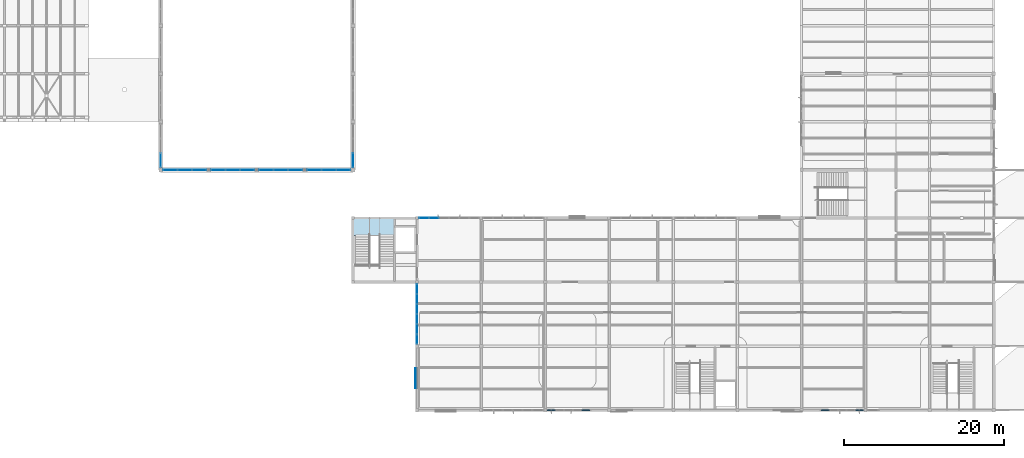
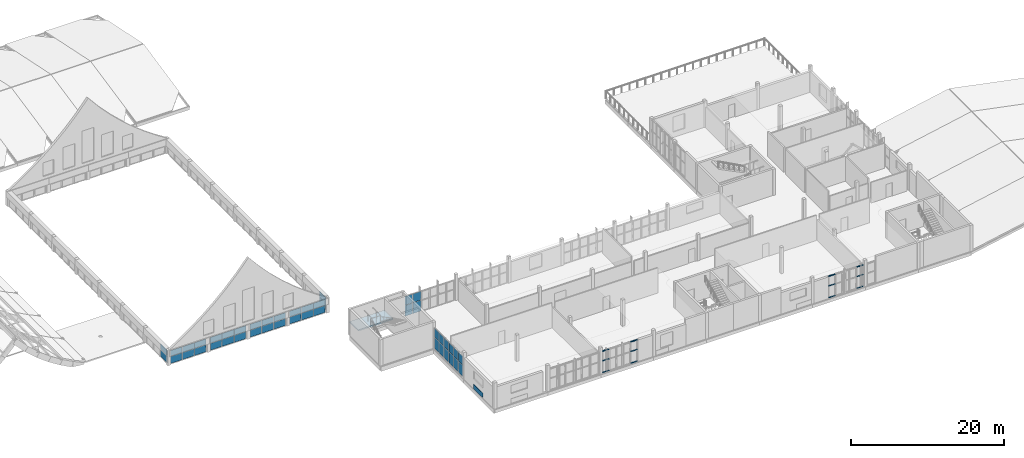
# One storey, part 24 of 45: 45 plates, 12 members, 1 slab, 11 elements without a shape of their own.
"""IFC4 building model written with IfcOpenShell, lengths in metres."""

from ifc_helpers import new_model, si_unit, direction, frame, origin, origin_2d, place, context, subcontext, project, spatial, polyline, rectangle, outline, extrude, material, layer, layer_set, material_profile, profile_set, type_object, element, aggregate, save


model = new_model("IFC4")

# Units and contexts
model_context = context("Model", 3, precision=1e-05, world=origin(), true_north=direction((0.0, 1.0)))
body_context = subcontext(model_context, "Body", "Model", "MODEL_VIEW")
ifc_project = project(units=[si_unit("LENGTHUNIT", "METRE"), si_unit("AREAUNIT", "SQUARE_METRE"), si_unit("VOLUMEUNIT", "CUBIC_METRE"), si_unit("PLANEANGLEUNIT", "RADIAN"), si_unit("MASSUNIT", "GRAM", prefix="KILO")], contexts=[model_context])

# Site, building, storey
site_placement = place(None, origin())
site = spatial("IfcSite", under=ifc_project, at=site_placement, CompositionType="ELEMENT")
building_placement = place(site_placement, origin())
building = spatial("IfcBuilding", under=site, at=building_placement, Name="Solvane Community Centre", CompositionType="ELEMENT")
storey_placement = place(building_placement, frame((0.0, 0.0, 13.800048828125)))
storey = spatial("IfcBuildingStorey", under=building, at=storey_placement, Name="L03", CompositionType="ELEMENT", Elevation=13.800048828125)

# Curtain wall, members
ifc_material_1 = material(Name="Anodised bronze aluminium AW-6063 T6", Category="aluminium")
ifc_layer_1 = layer(ifc_material_1, 0.199951171875)
ifc_layer_set_1 = layer_set([ifc_layer_1], Name="Anodised bronze aluminium AW-6063 T6")
curtain_wall_type_1 = type_object("IfcCurtainWallType", Name="Courtyard Cloister Curtain Wall [54x34dm]", PredefinedType="NOTDEFINED", material=ifc_layer_set_1)
curtain_wall_1_placement = place(storey_placement, origin())
curtain_wall_1 = element("IfcCurtainWall", 1, at=curtain_wall_1_placement, inside=storey, type_object=curtain_wall_type_1, Name="Curtain Wall CW-L03-1238_60-216", PredefinedType="NOTDEFINED")
ifc_material_profile = material_profile(ifc_material_1, rectangle(XDim=0.139892578125, YDim=0.06005859375, at=origin_2d()), Name="CW-T 60x140")
ifc_profile_set = profile_set([ifc_material_profile], Name="Anodised bronze aluminium AW-6063 T6")
member_type = type_object("IfcMemberType", Name="Cloister Transom 60x140", PredefinedType="USERDEFINED", material=ifc_profile_set)
member_1_placement = place(storey_placement, frame((123.72509765625, 6.0, 0.030029296875), z_axis=(-1.0, 0.0, 0.0), x_axis=(0.0, -1.0, 0.0)))
member_1 = element("IfcMember", 2, at=member_1_placement, type_object=member_type, Name="CW03-54x34 transom 1.1", ObjectType="TRANSOM", PredefinedType="USERDEFINED", context=body_context, shape_type="SweptSolid", body=[
    extrude(rectangle(XDim=0.139892578125, YDim=0.06005859375, at=origin_2d()), origin(), (0.0, 0.0, 1.0), 0.987060546875),
])
member_2_placement = place(storey_placement, frame((123.72509765625, 6.0, 1.89501953125), z_axis=(-1.0, 0.0, 0.0), x_axis=(0.0, -1.0, 0.0)))
member_2 = element("IfcMember", 3, at=member_2_placement, type_object=member_type, Name="CW03-54x34 transom 1.2", ObjectType="TRANSOM", PredefinedType="USERDEFINED", context=body_context, shape_type="SweptSolid", body=[
    extrude(rectangle(XDim=0.139892578125, YDim=0.06005859375, at=origin_2d()), origin(), (0.0, 0.0, 1.0), 0.987060546875),
])
member_3_placement = place(storey_placement, frame((123.72509765625, 6.0, 3.4150390625), z_axis=(-1.0, 0.0, 0.0), x_axis=(0.0, -1.0, 0.0)))
member_3 = element("IfcMember", 4, at=member_3_placement, type_object=member_type, Name="CW03-54x34 transom 1.3", ObjectType="TRANSOM", PredefinedType="USERDEFINED", context=body_context, shape_type="SweptSolid", body=[
    extrude(rectangle(XDim=0.139892578125, YDim=0.06005859375, at=origin_2d()), origin(), (0.0, 0.0, 1.0), 0.987060546875),
])
member_4_placement = place(storey_placement, frame((119.447021484375, 6.0, 0.030029296875), z_axis=(-1.0, 0.0, 0.0), x_axis=(0.0, -1.0, 0.0)))
member_4 = element("IfcMember", 5, at=member_4_placement, type_object=member_type, Name="CW03-54x34 transom 5.1", ObjectType="TRANSOM", PredefinedType="USERDEFINED", context=body_context, shape_type="SweptSolid", body=[
    extrude(rectangle(XDim=0.139892578125, YDim=0.06005859375, at=origin_2d()), origin(), (0.0, 0.0, 1.0), 0.987060546875),
])
member_5_placement = place(storey_placement, frame((119.447021484375, 6.0, 1.89501953125), z_axis=(-1.0, 0.0, 0.0), x_axis=(0.0, -1.0, 0.0)))
member_5 = element("IfcMember", 6, at=member_5_placement, type_object=member_type, Name="CW03-54x34 transom 5.2", ObjectType="TRANSOM", PredefinedType="USERDEFINED", context=body_context, shape_type="SweptSolid", body=[
    extrude(rectangle(XDim=0.139892578125, YDim=0.06005859375, at=origin_2d()), origin(), (0.0, 0.0, 1.0), 0.987060546875),
])
member_6_placement = place(storey_placement, frame((119.447021484375, 6.0, 3.4150390625), z_axis=(-1.0, 0.0, 0.0), x_axis=(0.0, -1.0, 0.0)))
member_6 = element("IfcMember", 7, at=member_6_placement, type_object=member_type, Name="CW03-54x34 transom 5.3", ObjectType="TRANSOM", PredefinedType="USERDEFINED", context=body_context, shape_type="SweptSolid", body=[
    extrude(rectangle(XDim=0.139892578125, YDim=0.06005859375, at=origin_2d()), origin(), (0.0, 0.0, 1.0), 0.987060546875),
])
aggregate(curtain_wall_1, [member_1, member_2, member_3, member_4, member_5, member_6])

curtain_wall_2_placement = place(storey_placement, origin())
curtain_wall_2 = element("IfcCurtainWall", 8, at=curtain_wall_2_placement, inside=storey, type_object=curtain_wall_type_1, Name="Curtain Wall CW-L03-896_60-217", PredefinedType="NOTDEFINED")
member_7_placement = place(storey_placement, frame((89.5400390625, 6.0, 0.030029296875), z_axis=(-1.0, 0.0, 0.0), x_axis=(0.0, -1.0, 0.0)))
member_7 = element("IfcMember", 9, at=member_7_placement, type_object=member_type, Name="CW03-54x34 transom 1.1", ObjectType="TRANSOM", PredefinedType="USERDEFINED", context=body_context, shape_type="SweptSolid", body=[
    extrude(rectangle(XDim=0.139892578125, YDim=0.06005859375, at=origin_2d()), origin(), (0.0, 0.0, 1.0), 0.987060546875),
])
member_8_placement = place(storey_placement, frame((89.5400390625, 6.0, 1.89501953125), z_axis=(-1.0, 0.0, 0.0), x_axis=(0.0, -1.0, 0.0)))
member_8 = element("IfcMember", 10, at=member_8_placement, type_object=member_type, Name="CW03-54x34 transom 1.2", ObjectType="TRANSOM", PredefinedType="USERDEFINED", context=body_context, shape_type="SweptSolid", body=[
    extrude(rectangle(XDim=0.139892578125, YDim=0.06005859375, at=origin_2d()), origin(), (0.0, 0.0, 1.0), 0.987060546875),
])
member_9_placement = place(storey_placement, frame((89.5400390625, 6.0, 3.4150390625), z_axis=(-1.0, 0.0, 0.0), x_axis=(0.0, -1.0, 0.0)))
member_9 = element("IfcMember", 11, at=member_9_placement, type_object=member_type, Name="CW03-54x34 transom 1.3", ObjectType="TRANSOM", PredefinedType="USERDEFINED", context=body_context, shape_type="SweptSolid", body=[
    extrude(rectangle(XDim=0.139892578125, YDim=0.06005859375, at=origin_2d()), origin(), (0.0, 0.0, 1.0), 0.987060546875),
])
member_10_placement = place(storey_placement, frame((85.261962890625, 6.0, 0.030029296875), z_axis=(-1.0, 0.0, 0.0), x_axis=(0.0, -1.0, 0.0)))
member_10 = element("IfcMember", 12, at=member_10_placement, type_object=member_type, Name="CW03-54x34 transom 5.1", ObjectType="TRANSOM", PredefinedType="USERDEFINED", context=body_context, shape_type="SweptSolid", body=[
    extrude(rectangle(XDim=0.139892578125, YDim=0.06005859375, at=origin_2d()), origin(), (0.0, 0.0, 1.0), 0.987060546875),
])
member_11_placement = place(storey_placement, frame((85.261962890625, 6.0, 1.89501953125), z_axis=(-1.0, 0.0, 0.0), x_axis=(0.0, -1.0, 0.0)))
member_11 = element("IfcMember", 13, at=member_11_placement, type_object=member_type, Name="CW03-54x34 transom 5.2", ObjectType="TRANSOM", PredefinedType="USERDEFINED", context=body_context, shape_type="SweptSolid", body=[
    extrude(rectangle(XDim=0.139892578125, YDim=0.06005859375, at=origin_2d()), origin(), (0.0, 0.0, 1.0), 0.987060546875),
])
member_12_placement = place(storey_placement, frame((85.261962890625, 6.0, 3.4150390625), z_axis=(-1.0, 0.0, 0.0), x_axis=(0.0, -1.0, 0.0)))
member_12 = element("IfcMember", 14, at=member_12_placement, type_object=member_type, Name="CW03-54x34 transom 5.3", ObjectType="TRANSOM", PredefinedType="USERDEFINED", context=body_context, shape_type="SweptSolid", body=[
    extrude(rectangle(XDim=0.139892578125, YDim=0.06005859375, at=origin_2d()), origin(), (0.0, 0.0, 1.0), 0.987060546875),
])
aggregate(curtain_wall_2, [member_7, member_8, member_9, member_10, member_11, member_12])

# Plate
ifc_layer_2 = layer(ifc_material_1, 0.02392578125)
ifc_layer_set_2 = layer_set([ifc_layer_2], Name="Anodised bronze aluminium AW-6063 T6")
plate_type_1 = type_object("IfcPlateType", Name="Bronze Spandrel Cassette 24mm", PredefinedType="SHEET", material=ifc_layer_set_2)
plate_1_placement = place(storey_placement, frame((67.81298828125, 10.0, 0.06005859375), z_axis=(0.0, 0.0, 1.0), x_axis=(0.0, 1.0, 0.0)))
element("IfcPlate", 15, at=plate_1_placement, inside=storey, type_object=plate_type_1, Name="Art Deco Spandrel SPC-L03-044", PredefinedType="SHEET", context=body_context, shape_type="SweptSolid", body=[
    extrude(rectangle(XDim=2.5, YDim=0.02392578125, at=origin_2d()), origin(), (0.0, 0.0, 1.0), 0.719970703125),
])

# Curtain wall, plates
ifc_layer_3 = layer(ifc_material_1, 0.199951171875)
ifc_layer_set_3 = layer_set([ifc_layer_3], Name="Anodised bronze aluminium AW-6063 T6")
curtain_wall_type_2 = type_object("IfcCurtainWallType", Name="Courtyard Cloister Curtain Wall [76x33dm]", PredefinedType="NOTDEFINED", material=ifc_layer_set_3)
curtain_wall_3_placement = place(storey_placement, origin())
curtain_wall_3 = element("IfcCurtainWall", 16, at=curtain_wall_3_placement, inside=storey, type_object=curtain_wall_type_2, Name="Curtain Wall CW-L03-680_142-220", PredefinedType="NOTDEFINED")
ifc_material_2 = material(Name="Tempered low-E double glazing", Category="glass")
ifc_layer_4 = layer(ifc_material_2, 0.028076171875)
ifc_layer_set_4 = layer_set([ifc_layer_4], Name="Tempered low-E double glazing")
plate_type_2 = type_object("IfcPlateType", Name="Cloister Vision Glazing Panel 28mm [76x33dm]", PredefinedType="CURTAIN_PANEL", material=ifc_layer_set_4)
plate_2_placement = place(storey_placement, frame((68.0, 14.8701171875, 0.06005859375), z_axis=(0.0, 0.0, 1.0), x_axis=(0.0, 1.0, 0.0)))
plate_2 = element("IfcPlate", 17, at=plate_2_placement, type_object=plate_type_2, Name="CW03-76x33 panel 1.1", PredefinedType="CURTAIN_PANEL", context=body_context, shape_type="SweptSolid", body=[
    extrude(rectangle(XDim=1.169921875, YDim=0.028076171875, at=origin_2d()), origin(), (0.0, 0.0, 1.0), 1.739013671875),
])
plate_3_placement = place(storey_placement, frame((68.0, 14.8701171875, 1.85888671875), z_axis=(0.0, 0.0, 1.0), x_axis=(0.0, 1.0, 0.0)))
plate_3 = element("IfcPlate", 18, at=plate_3_placement, type_object=plate_type_2, Name="CW03-76x33 panel 1.2", PredefinedType="CURTAIN_PANEL", context=body_context, shape_type="SweptSolid", body=[
    extrude(rectangle(XDim=1.169921875, YDim=0.028076171875, at=origin_2d()), origin(), (0.0, 0.0, 1.0), 1.406005859375),
])
plate_4_placement = place(storey_placement, frame((68.0, 16.114990234375, 0.06005859375), z_axis=(0.0, 0.0, 1.0), x_axis=(0.0, 1.0, 0.0)))
plate_4 = element("IfcPlate", 19, at=plate_4_placement, type_object=plate_type_2, Name="CW03-76x33 panel 2.1", PredefinedType="CURTAIN_PANEL", context=body_context, shape_type="SweptSolid", body=[
    extrude(rectangle(XDim=1.199951171875, YDim=0.028076171875, at=origin_2d()), origin(), (0.0, 0.0, 1.0), 1.739013671875),
])
plate_5_placement = place(storey_placement, frame((68.0, 16.114990234375, 1.85888671875), z_axis=(0.0, 0.0, 1.0), x_axis=(0.0, 1.0, 0.0)))
plate_5 = element("IfcPlate", 20, at=plate_5_placement, type_object=plate_type_2, Name="CW03-76x33 panel 2.2", PredefinedType="CURTAIN_PANEL", context=body_context, shape_type="SweptSolid", body=[
    extrude(rectangle(XDim=1.199951171875, YDim=0.028076171875, at=origin_2d()), origin(), (0.0, 0.0, 1.0), 1.406005859375),
])
plate_6_placement = place(storey_placement, frame((68.0, 17.375, 0.06005859375), z_axis=(0.0, 0.0, 1.0), x_axis=(0.0, 1.0, 0.0)))
plate_6 = element("IfcPlate", 21, at=plate_6_placement, type_object=plate_type_2, Name="CW03-76x33 panel 3.1", PredefinedType="CURTAIN_PANEL", context=body_context, shape_type="SweptSolid", body=[
    extrude(rectangle(XDim=1.199951171875, YDim=0.028076171875, at=origin_2d()), origin(), (0.0, 0.0, 1.0), 1.739013671875),
])
plate_7_placement = place(storey_placement, frame((68.0, 17.375, 1.85888671875), z_axis=(0.0, 0.0, 1.0), x_axis=(0.0, 1.0, 0.0)))
plate_7 = element("IfcPlate", 22, at=plate_7_placement, type_object=plate_type_2, Name="CW03-76x33 panel 3.2", PredefinedType="CURTAIN_PANEL", context=body_context, shape_type="SweptSolid", body=[
    extrude(rectangle(XDim=1.199951171875, YDim=0.028076171875, at=origin_2d()), origin(), (0.0, 0.0, 1.0), 1.406005859375),
])
plate_8_placement = place(storey_placement, frame((68.0, 18.635009765625, 0.06005859375), z_axis=(0.0, 0.0, 1.0), x_axis=(0.0, 1.0, 0.0)))
plate_8 = element("IfcPlate", 23, at=plate_8_placement, type_object=plate_type_2, Name="CW03-76x33 panel 4.1", PredefinedType="CURTAIN_PANEL", context=body_context, shape_type="SweptSolid", body=[
    extrude(rectangle(XDim=1.199951171875, YDim=0.028076171875, at=origin_2d()), origin(), (0.0, 0.0, 1.0), 1.739013671875),
])
plate_9_placement = place(storey_placement, frame((68.0, 18.635009765625, 1.85888671875), z_axis=(0.0, 0.0, 1.0), x_axis=(0.0, 1.0, 0.0)))
plate_9 = element("IfcPlate", 24, at=plate_9_placement, type_object=plate_type_2, Name="CW03-76x33 panel 4.2", PredefinedType="CURTAIN_PANEL", context=body_context, shape_type="SweptSolid", body=[
    extrude(rectangle(XDim=1.199951171875, YDim=0.028076171875, at=origin_2d()), origin(), (0.0, 0.0, 1.0), 1.406005859375),
])
plate_10_placement = place(storey_placement, frame((68.0, 19.89501953125, 0.06005859375), z_axis=(0.0, 0.0, 1.0), x_axis=(0.0, 1.0, 0.0)))
plate_10 = element("IfcPlate", 25, at=plate_10_placement, type_object=plate_type_2, Name="CW03-76x33 panel 5.1", PredefinedType="CURTAIN_PANEL", context=body_context, shape_type="SweptSolid", body=[
    extrude(rectangle(XDim=1.199951171875, YDim=0.028076171875, at=origin_2d()), origin(), (0.0, 0.0, 1.0), 1.739013671875),
])
plate_11_placement = place(storey_placement, frame((68.0, 19.89501953125, 1.85888671875), z_axis=(0.0, 0.0, 1.0), x_axis=(0.0, 1.0, 0.0)))
plate_11 = element("IfcPlate", 26, at=plate_11_placement, type_object=plate_type_2, Name="CW03-76x33 panel 5.2", PredefinedType="CURTAIN_PANEL", context=body_context, shape_type="SweptSolid", body=[
    extrude(rectangle(XDim=1.199951171875, YDim=0.028076171875, at=origin_2d()), origin(), (0.0, 0.0, 1.0), 1.406005859375),
])
plate_12_placement = place(storey_placement, frame((68.0, 21.139892578125, 0.06005859375), z_axis=(0.0, 0.0, 1.0), x_axis=(0.0, 1.0, 0.0)))
plate_12 = element("IfcPlate", 27, at=plate_12_placement, type_object=plate_type_2, Name="CW03-76x33 panel 6.1", PredefinedType="CURTAIN_PANEL", context=body_context, shape_type="SweptSolid", body=[
    extrude(rectangle(XDim=1.169921875, YDim=0.028076171875, at=origin_2d()), origin(), (0.0, 0.0, 1.0), 1.739013671875),
])
plate_13_placement = place(storey_placement, frame((68.0, 21.139892578125, 1.85888671875), z_axis=(0.0, 0.0, 1.0), x_axis=(0.0, 1.0, 0.0)))
plate_13 = element("IfcPlate", 28, at=plate_13_placement, type_object=plate_type_2, Name="CW03-76x33 panel 6.2", PredefinedType="CURTAIN_PANEL", context=body_context, shape_type="SweptSolid", body=[
    extrude(rectangle(XDim=1.169921875, YDim=0.028076171875, at=origin_2d()), origin(), (0.0, 0.0, 1.0), 1.406005859375),
])
aggregate(curtain_wall_3, [plate_2, plate_3, plate_4, plate_5, plate_6, plate_7, plate_8, plate_9, plate_10, plate_11, plate_12, plate_13])

curtain_wall_4_placement = place(storey_placement, origin())
curtain_wall_4 = element("IfcCurtainWall", 29, at=curtain_wall_4_placement, inside=storey, type_object=curtain_wall_type_2, Name="Curtain Wall CW-L03-682_300-221", PredefinedType="NOTDEFINED")
plate_14_placement = place(storey_placement, frame((68.86083984375, 30.0, 0.059814453125), z_axis=(0.0, 0.0, 1.0), x_axis=(1.0, 0.0, 0.0)))
plate_14 = element("IfcPlate", 30, at=plate_14_placement, type_object=plate_type_2, Name="CW03-76x33 panel 1.1", PredefinedType="CURTAIN_PANEL", context=body_context, shape_type="SweptSolid", body=[
    extrude(rectangle(XDim=1.171630859375, YDim=0.028076171875, at=origin_2d()), origin(), (0.0, 0.0, 1.0), 1.7060546875),
])
plate_15_placement = place(storey_placement, frame((68.86083984375, 30.0, 1.825927734375), z_axis=(0.0, 0.0, 1.0), x_axis=(1.0, 0.0, 0.0)))
plate_15 = element("IfcPlate", 31, at=plate_15_placement, type_object=plate_type_2, Name="CW03-76x33 panel 1.2", PredefinedType="CURTAIN_PANEL", context=body_context, shape_type="SweptSolid", body=[
    extrude(rectangle(XDim=1.171630859375, YDim=0.028076171875, at=origin_2d()), origin(), (0.0, 0.0, 1.0), 1.37890625),
])
plate_16_placement = place(storey_placement, frame((70.107421875, 30.0, 0.059814453125), z_axis=(0.0, 0.0, 1.0), x_axis=(1.0, 0.0, 0.0)))
plate_16 = element("IfcPlate", 32, at=plate_16_placement, type_object=plate_type_2, Name="CW03-76x33 panel 2.1", PredefinedType="CURTAIN_PANEL", context=body_context, shape_type="SweptSolid", body=[
    extrude(rectangle(XDim=1.20166015625, YDim=0.028076171875, at=origin_2d()), origin(), (0.0, 0.0, 1.0), 1.7060546875),
])
plate_17_placement = place(storey_placement, frame((70.107421875, 30.0, 1.825927734375), z_axis=(0.0, 0.0, 1.0), x_axis=(1.0, 0.0, 0.0)))
plate_17 = element("IfcPlate", 33, at=plate_17_placement, type_object=plate_type_2, Name="CW03-76x33 panel 2.2", PredefinedType="CURTAIN_PANEL", context=body_context, shape_type="SweptSolid", body=[
    extrude(rectangle(XDim=1.20166015625, YDim=0.028076171875, at=origin_2d()), origin(), (0.0, 0.0, 1.0), 1.37890625),
])
aggregate(curtain_wall_4, [plate_14, plate_15, plate_16, plate_17])

# Stair, slab
ifc_material_3 = material(Name="Concrete C35/45", Category="concrete")
stair_type = type_object("IfcStairType", Name="RC Two-Flight Escape Stair 1720mm", PredefinedType="TWO_STRAIGHT_RUN_STAIR", material=ifc_material_3)
stair_placement = place(storey_placement, origin())
stair = element("IfcStair", 34, at=stair_placement, inside=storey, type_object=stair_type, Name="Stair STR-C1-L03", PredefinedType="TWO_STRAIGHT_RUN_STAIR")
ifc_layer_5 = layer(ifc_material_3, 0.199951171875)
ifc_layer_set_5 = layer_set([ifc_layer_5], Name="Concrete C35/45")
slab_type = type_object("IfcSlabType", Name="RC Stair Half-Landing Slab 200mm", PredefinedType="LANDING", material=ifc_layer_set_5)
slab_placement = place(storey_placement, frame((0.0, 0.0, 1.89990234375)))
slab = element("IfcSlab", 35, at=slab_placement, type_object=slab_type, Name="ST-01 landing 1", PredefinedType="LANDING", context=body_context, shape_type="SweptSolid", body=[
    extrude(outline(polyline([(59.9599609375, 27.800048828125), (65.239990234375, 27.800048828125), (65.239990234375, 30.0400390625), (59.9599609375, 30.0400390625), (59.9599609375, 27.800048828125)])), origin(), (0.0, 0.0, 1.0), 0.199951171875),
])
aggregate(stair, [slab])

# Curtain wall, plates
ifc_layer_6 = layer(ifc_material_1, 0.179931640625)
ifc_layer_set_6 = layer_set([ifc_layer_6], Name="Anodised bronze aluminium AW-6063 T6")
curtain_wall_type_3 = type_object("IfcCurtainWallType", Name="Hall Translucent Upper Curtain Wall [55x22dm]", PredefinedType="NOTDEFINED", material=ifc_layer_set_6)
curtain_wall_5_placement = place(storey_placement, origin())
curtain_wall_5 = element("IfcCurtainWall", 36, at=curtain_wall_5_placement, inside=storey, type_object=curtain_wall_type_3, Name="Curtain Wall CW-L03-360_417-135", PredefinedType="NOTDEFINED")
ifc_material_4 = material(Name="Translucent polycarbonate panel")
ifc_layer_7 = layer(ifc_material_4, 0.028076171875)
ifc_layer_set_7 = layer_set([ifc_layer_7], Name="Translucent polycarbonate panel")
plate_type_3 = type_object("IfcPlateType", Name="Translucent Polycarbonate Panel 28mm [55x22dm]", PredefinedType="CURTAIN_PANEL", material=ifc_layer_set_7)
plate_18_placement = place(storey_placement, frame((36.0, 37.18505859375, 0.06005859375), z_axis=(0.0, 0.0, 1.0), x_axis=(0.0, -1.0, 0.0)))
plate_18 = element("IfcPlate", 37, at=plate_18_placement, type_object=plate_type_3, Name="CW01-55x22 panel 3.1", PredefinedType="CURTAIN_PANEL", context=body_context, shape_type="SweptSolid", body=[
    extrude(rectangle(XDim=1.739990234375, YDim=0.028076171875, at=origin_2d()), origin(), (0.0, 0.0, 1.0), 1.10888671875),
])
plate_19_placement = place(storey_placement, frame((36.0, 37.18505859375, 1.22900390625), z_axis=(0.0, 0.0, 1.0), x_axis=(0.0, -1.0, 0.0)))
plate_19 = element("IfcPlate", 38, at=plate_19_placement, type_object=plate_type_3, Name="CW01-55x22 panel 3.2", PredefinedType="CURTAIN_PANEL", context=body_context, shape_type="SweptSolid", body=[
    extrude(rectangle(XDim=1.739990234375, YDim=0.028076171875, at=origin_2d()), origin(), (0.0, 0.0, 1.0), 0.89111328125),
])
aggregate(curtain_wall_5, [plate_18, plate_19])

curtain_wall_6_placement = place(storey_placement, origin())
curtain_wall_6 = element("IfcCurtainWall", 39, at=curtain_wall_6_placement, inside=storey, type_object=curtain_wall_type_3, Name="Curtain Wall CW-L03-600_363-143", PredefinedType="NOTDEFINED")
plate_20_placement = place(storey_placement, frame((60.0, 37.18505859375, 0.06005859375), z_axis=(0.0, 0.0, 1.0), x_axis=(0.0, 1.0, 0.0)))
plate_20 = element("IfcPlate", 40, at=plate_20_placement, type_object=plate_type_3, Name="CW01-55x22 panel 1.1", PredefinedType="CURTAIN_PANEL", context=body_context, shape_type="SweptSolid", body=[
    extrude(rectangle(XDim=1.739990234375, YDim=0.028076171875, at=origin_2d()), origin(), (0.0, 0.0, 1.0), 1.10888671875),
])
plate_21_placement = place(storey_placement, frame((60.0, 37.18505859375, 1.22900390625), z_axis=(0.0, 0.0, 1.0), x_axis=(0.0, 1.0, 0.0)))
plate_21 = element("IfcPlate", 41, at=plate_21_placement, type_object=plate_type_3, Name="CW01-55x22 panel 1.2", PredefinedType="CURTAIN_PANEL", context=body_context, shape_type="SweptSolid", body=[
    extrude(rectangle(XDim=1.739990234375, YDim=0.028076171875, at=origin_2d()), origin(), (0.0, 0.0, 1.0), 0.89111328125),
])
aggregate(curtain_wall_6, [plate_20, plate_21])

curtain_wall_7_placement = place(storey_placement, origin())
curtain_wall_7 = element("IfcCurtainWall", 42, at=curtain_wall_7_placement, inside=storey, type_object=curtain_wall_type_3, Name="Curtain Wall CW-L03-597_360-154", PredefinedType="NOTDEFINED")
plate_22_placement = place(storey_placement, frame((58.81494140625, 36.0, 0.06005859375), z_axis=(0.0, 0.0, 1.0), x_axis=(-1.0, 0.0, 0.0)))
plate_22 = element("IfcPlate", 43, at=plate_22_placement, type_object=plate_type_3, Name="CW01-55x22 panel 1.1", PredefinedType="CURTAIN_PANEL", context=body_context, shape_type="SweptSolid", body=[
    extrude(rectangle(XDim=1.739990234375, YDim=0.028076171875, at=origin_2d()), origin(), (0.0, 0.0, 1.0), 1.10888671875),
])
plate_23_placement = place(storey_placement, frame((58.81494140625, 36.0, 1.22900390625), z_axis=(0.0, 0.0, 1.0), x_axis=(-1.0, 0.0, 0.0)))
plate_23 = element("IfcPlate", 44, at=plate_23_placement, type_object=plate_type_3, Name="CW01-55x22 panel 1.2", PredefinedType="CURTAIN_PANEL", context=body_context, shape_type="SweptSolid", body=[
    extrude(rectangle(XDim=1.739990234375, YDim=0.028076171875, at=origin_2d()), origin(), (0.0, 0.0, 1.0), 0.89111328125),
])
plate_24_placement = place(storey_placement, frame((57.0, 36.0, 0.06005859375), z_axis=(0.0, 0.0, 1.0), x_axis=(-1.0, 0.0, 0.0)))
plate_24 = element("IfcPlate", 45, at=plate_24_placement, type_object=plate_type_3, Name="CW01-55x22 panel 2.1", PredefinedType="CURTAIN_PANEL", context=body_context, shape_type="SweptSolid", body=[
    extrude(rectangle(XDim=1.77001953125, YDim=0.028076171875, at=origin_2d()), origin(), (0.0, 0.0, 1.0), 1.10888671875),
])
plate_25_placement = place(storey_placement, frame((57.0, 36.0, 1.22900390625), z_axis=(0.0, 0.0, 1.0), x_axis=(-1.0, 0.0, 0.0)))
plate_25 = element("IfcPlate", 46, at=plate_25_placement, type_object=plate_type_3, Name="CW01-55x22 panel 2.2", PredefinedType="CURTAIN_PANEL", context=body_context, shape_type="SweptSolid", body=[
    extrude(rectangle(XDim=1.77001953125, YDim=0.028076171875, at=origin_2d()), origin(), (0.0, 0.0, 1.0), 0.89111328125),
])
plate_26_placement = place(storey_placement, frame((55.18505859375, 36.0, 0.06005859375), z_axis=(0.0, 0.0, 1.0), x_axis=(-1.0, 0.0, 0.0)))
plate_26 = element("IfcPlate", 47, at=plate_26_placement, type_object=plate_type_3, Name="CW01-55x22 panel 3.1", PredefinedType="CURTAIN_PANEL", context=body_context, shape_type="SweptSolid", body=[
    extrude(rectangle(XDim=1.739990234375, YDim=0.028076171875, at=origin_2d()), origin(), (0.0, 0.0, 1.0), 1.10888671875),
])
plate_27_placement = place(storey_placement, frame((55.18505859375, 36.0, 1.22900390625), z_axis=(0.0, 0.0, 1.0), x_axis=(-1.0, 0.0, 0.0)))
plate_27 = element("IfcPlate", 48, at=plate_27_placement, type_object=plate_type_3, Name="CW01-55x22 panel 3.2", PredefinedType="CURTAIN_PANEL", context=body_context, shape_type="SweptSolid", body=[
    extrude(rectangle(XDim=1.739990234375, YDim=0.028076171875, at=origin_2d()), origin(), (0.0, 0.0, 1.0), 0.89111328125),
])
aggregate(curtain_wall_7, [plate_22, plate_23, plate_24, plate_25, plate_26, plate_27])

curtain_wall_8_placement = place(storey_placement, origin())
curtain_wall_8 = element("IfcCurtainWall", 49, at=curtain_wall_8_placement, inside=storey, type_object=curtain_wall_type_3, Name="Curtain Wall CW-L03-537_360-155", PredefinedType="NOTDEFINED")
plate_28_placement = place(storey_placement, frame((52.81494140625, 36.0, 0.06005859375), z_axis=(0.0, 0.0, 1.0), x_axis=(-1.0, 0.0, 0.0)))
plate_28 = element("IfcPlate", 50, at=plate_28_placement, type_object=plate_type_3, Name="CW01-55x22 panel 1.1", PredefinedType="CURTAIN_PANEL", context=body_context, shape_type="SweptSolid", body=[
    extrude(rectangle(XDim=1.739990234375, YDim=0.028076171875, at=origin_2d()), origin(), (0.0, 0.0, 1.0), 1.10888671875),
])
plate_29_placement = place(storey_placement, frame((52.81494140625, 36.0, 1.22900390625), z_axis=(0.0, 0.0, 1.0), x_axis=(-1.0, 0.0, 0.0)))
plate_29 = element("IfcPlate", 51, at=plate_29_placement, type_object=plate_type_3, Name="CW01-55x22 panel 1.2", PredefinedType="CURTAIN_PANEL", context=body_context, shape_type="SweptSolid", body=[
    extrude(rectangle(XDim=1.739990234375, YDim=0.028076171875, at=origin_2d()), origin(), (0.0, 0.0, 1.0), 0.89111328125),
])
plate_30_placement = place(storey_placement, frame((51.0, 36.0, 0.06005859375), z_axis=(0.0, 0.0, 1.0), x_axis=(-1.0, 0.0, 0.0)))
plate_30 = element("IfcPlate", 52, at=plate_30_placement, type_object=plate_type_3, Name="CW01-55x22 panel 2.1", PredefinedType="CURTAIN_PANEL", context=body_context, shape_type="SweptSolid", body=[
    extrude(rectangle(XDim=1.77001953125, YDim=0.028076171875, at=origin_2d()), origin(), (0.0, 0.0, 1.0), 1.10888671875),
])
plate_31_placement = place(storey_placement, frame((51.0, 36.0, 1.22900390625), z_axis=(0.0, 0.0, 1.0), x_axis=(-1.0, 0.0, 0.0)))
plate_31 = element("IfcPlate", 53, at=plate_31_placement, type_object=plate_type_3, Name="CW01-55x22 panel 2.2", PredefinedType="CURTAIN_PANEL", context=body_context, shape_type="SweptSolid", body=[
    extrude(rectangle(XDim=1.77001953125, YDim=0.028076171875, at=origin_2d()), origin(), (0.0, 0.0, 1.0), 0.89111328125),
])
plate_32_placement = place(storey_placement, frame((49.18505859375, 36.0, 0.06005859375), z_axis=(0.0, 0.0, 1.0), x_axis=(-1.0, 0.0, 0.0)))
plate_32 = element("IfcPlate", 54, at=plate_32_placement, type_object=plate_type_3, Name="CW01-55x22 panel 3.1", PredefinedType="CURTAIN_PANEL", context=body_context, shape_type="SweptSolid", body=[
    extrude(rectangle(XDim=1.739990234375, YDim=0.028076171875, at=origin_2d()), origin(), (0.0, 0.0, 1.0), 1.10888671875),
])
plate_33_placement = place(storey_placement, frame((49.18505859375, 36.0, 1.22900390625), z_axis=(0.0, 0.0, 1.0), x_axis=(-1.0, 0.0, 0.0)))
plate_33 = element("IfcPlate", 55, at=plate_33_placement, type_object=plate_type_3, Name="CW01-55x22 panel 3.2", PredefinedType="CURTAIN_PANEL", context=body_context, shape_type="SweptSolid", body=[
    extrude(rectangle(XDim=1.739990234375, YDim=0.028076171875, at=origin_2d()), origin(), (0.0, 0.0, 1.0), 0.89111328125),
])
aggregate(curtain_wall_8, [plate_28, plate_29, plate_30, plate_31, plate_32, plate_33])

curtain_wall_9_placement = place(storey_placement, origin())
curtain_wall_9 = element("IfcCurtainWall", 56, at=curtain_wall_9_placement, inside=storey, type_object=curtain_wall_type_3, Name="Curtain Wall CW-L03-477_360-156", PredefinedType="NOTDEFINED")
plate_34_placement = place(storey_placement, frame((46.81494140625, 36.0, 0.06005859375), z_axis=(0.0, 0.0, 1.0), x_axis=(-1.0, 0.0, 0.0)))
plate_34 = element("IfcPlate", 57, at=plate_34_placement, type_object=plate_type_3, Name="CW01-55x22 panel 1.1", PredefinedType="CURTAIN_PANEL", context=body_context, shape_type="SweptSolid", body=[
    extrude(rectangle(XDim=1.739990234375, YDim=0.028076171875, at=origin_2d()), origin(), (0.0, 0.0, 1.0), 1.10888671875),
])
plate_35_placement = place(storey_placement, frame((46.81494140625, 36.0, 1.22900390625), z_axis=(0.0, 0.0, 1.0), x_axis=(-1.0, 0.0, 0.0)))
plate_35 = element("IfcPlate", 58, at=plate_35_placement, type_object=plate_type_3, Name="CW01-55x22 panel 1.2", PredefinedType="CURTAIN_PANEL", context=body_context, shape_type="SweptSolid", body=[
    extrude(rectangle(XDim=1.739990234375, YDim=0.028076171875, at=origin_2d()), origin(), (0.0, 0.0, 1.0), 0.89111328125),
])
plate_36_placement = place(storey_placement, frame((45.0, 36.0, 0.06005859375), z_axis=(0.0, 0.0, 1.0), x_axis=(-1.0, 0.0, 0.0)))
plate_36 = element("IfcPlate", 59, at=plate_36_placement, type_object=plate_type_3, Name="CW01-55x22 panel 2.1", PredefinedType="CURTAIN_PANEL", context=body_context, shape_type="SweptSolid", body=[
    extrude(rectangle(XDim=1.77001953125, YDim=0.028076171875, at=origin_2d()), origin(), (0.0, 0.0, 1.0), 1.10888671875),
])
plate_37_placement = place(storey_placement, frame((45.0, 36.0, 1.22900390625), z_axis=(0.0, 0.0, 1.0), x_axis=(-1.0, 0.0, 0.0)))
plate_37 = element("IfcPlate", 60, at=plate_37_placement, type_object=plate_type_3, Name="CW01-55x22 panel 2.2", PredefinedType="CURTAIN_PANEL", context=body_context, shape_type="SweptSolid", body=[
    extrude(rectangle(XDim=1.77001953125, YDim=0.028076171875, at=origin_2d()), origin(), (0.0, 0.0, 1.0), 0.89111328125),
])
plate_38_placement = place(storey_placement, frame((43.18505859375, 36.0, 0.06005859375), z_axis=(0.0, 0.0, 1.0), x_axis=(-1.0, 0.0, 0.0)))
plate_38 = element("IfcPlate", 61, at=plate_38_placement, type_object=plate_type_3, Name="CW01-55x22 panel 3.1", PredefinedType="CURTAIN_PANEL", context=body_context, shape_type="SweptSolid", body=[
    extrude(rectangle(XDim=1.739990234375, YDim=0.028076171875, at=origin_2d()), origin(), (0.0, 0.0, 1.0), 1.10888671875),
])
plate_39_placement = place(storey_placement, frame((43.18505859375, 36.0, 1.22900390625), z_axis=(0.0, 0.0, 1.0), x_axis=(-1.0, 0.0, 0.0)))
plate_39 = element("IfcPlate", 62, at=plate_39_placement, type_object=plate_type_3, Name="CW01-55x22 panel 3.2", PredefinedType="CURTAIN_PANEL", context=body_context, shape_type="SweptSolid", body=[
    extrude(rectangle(XDim=1.739990234375, YDim=0.028076171875, at=origin_2d()), origin(), (0.0, 0.0, 1.0), 0.89111328125),
])
aggregate(curtain_wall_9, [plate_34, plate_35, plate_36, plate_37, plate_38, plate_39])

curtain_wall_10_placement = place(storey_placement, origin())
curtain_wall_10 = element("IfcCurtainWall", 63, at=curtain_wall_10_placement, inside=storey, type_object=curtain_wall_type_3, Name="Curtain Wall CW-L03-417_360-157", PredefinedType="NOTDEFINED")
plate_40_placement = place(storey_placement, frame((40.81494140625, 36.0, 0.06005859375), z_axis=(0.0, 0.0, 1.0), x_axis=(-1.0, 0.0, 0.0)))
plate_40 = element("IfcPlate", 64, at=plate_40_placement, type_object=plate_type_3, Name="CW01-55x22 panel 1.1", PredefinedType="CURTAIN_PANEL", context=body_context, shape_type="SweptSolid", body=[
    extrude(rectangle(XDim=1.739990234375, YDim=0.028076171875, at=origin_2d()), origin(), (0.0, 0.0, 1.0), 1.10888671875),
])
plate_41_placement = place(storey_placement, frame((40.81494140625, 36.0, 1.22900390625), z_axis=(0.0, 0.0, 1.0), x_axis=(-1.0, 0.0, 0.0)))
plate_41 = element("IfcPlate", 65, at=plate_41_placement, type_object=plate_type_3, Name="CW01-55x22 panel 1.2", PredefinedType="CURTAIN_PANEL", context=body_context, shape_type="SweptSolid", body=[
    extrude(rectangle(XDim=1.739990234375, YDim=0.028076171875, at=origin_2d()), origin(), (0.0, 0.0, 1.0), 0.89111328125),
])
plate_42_placement = place(storey_placement, frame((39.0, 36.0, 0.06005859375), z_axis=(0.0, 0.0, 1.0), x_axis=(-1.0, 0.0, 0.0)))
plate_42 = element("IfcPlate", 66, at=plate_42_placement, type_object=plate_type_3, Name="CW01-55x22 panel 2.1", PredefinedType="CURTAIN_PANEL", context=body_context, shape_type="SweptSolid", body=[
    extrude(rectangle(XDim=1.77001953125, YDim=0.028076171875, at=origin_2d()), origin(), (0.0, 0.0, 1.0), 1.10888671875),
])
plate_43_placement = place(storey_placement, frame((39.0, 36.0, 1.22900390625), z_axis=(0.0, 0.0, 1.0), x_axis=(-1.0, 0.0, 0.0)))
plate_43 = element("IfcPlate", 67, at=plate_43_placement, type_object=plate_type_3, Name="CW01-55x22 panel 2.2", PredefinedType="CURTAIN_PANEL", context=body_context, shape_type="SweptSolid", body=[
    extrude(rectangle(XDim=1.77001953125, YDim=0.028076171875, at=origin_2d()), origin(), (0.0, 0.0, 1.0), 0.89111328125),
])
plate_44_placement = place(storey_placement, frame((37.18505859375, 36.0, 0.06005859375), z_axis=(0.0, 0.0, 1.0), x_axis=(-1.0, 0.0, 0.0)))
plate_44 = element("IfcPlate", 68, at=plate_44_placement, type_object=plate_type_3, Name="CW01-55x22 panel 3.1", PredefinedType="CURTAIN_PANEL", context=body_context, shape_type="SweptSolid", body=[
    extrude(rectangle(XDim=1.739990234375, YDim=0.028076171875, at=origin_2d()), origin(), (0.0, 0.0, 1.0), 1.10888671875),
])
plate_45_placement = place(storey_placement, frame((37.18505859375, 36.0, 1.22900390625), z_axis=(0.0, 0.0, 1.0), x_axis=(-1.0, 0.0, 0.0)))
plate_45 = element("IfcPlate", 69, at=plate_45_placement, type_object=plate_type_3, Name="CW01-55x22 panel 3.2", PredefinedType="CURTAIN_PANEL", context=body_context, shape_type="SweptSolid", body=[
    extrude(rectangle(XDim=1.739990234375, YDim=0.028076171875, at=origin_2d()), origin(), (0.0, 0.0, 1.0), 0.89111328125),
])
aggregate(curtain_wall_10, [plate_40, plate_41, plate_42, plate_43, plate_44, plate_45])

save(model, "model.ifc")
